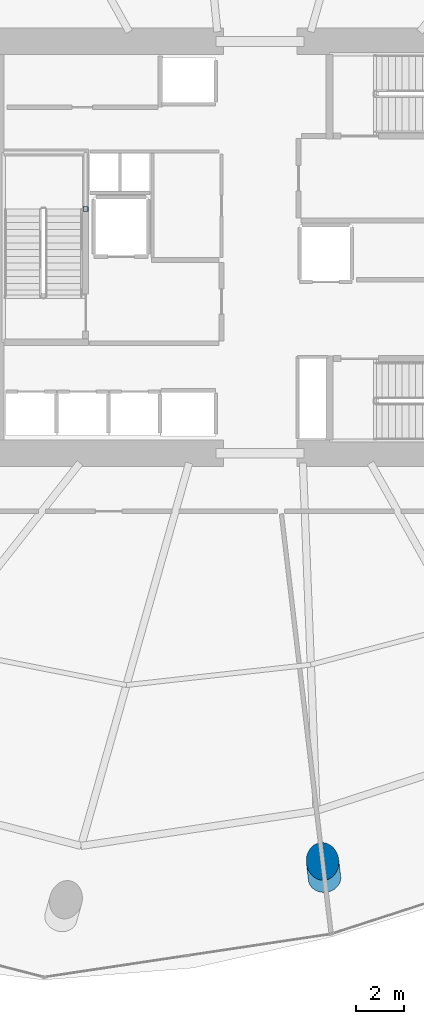
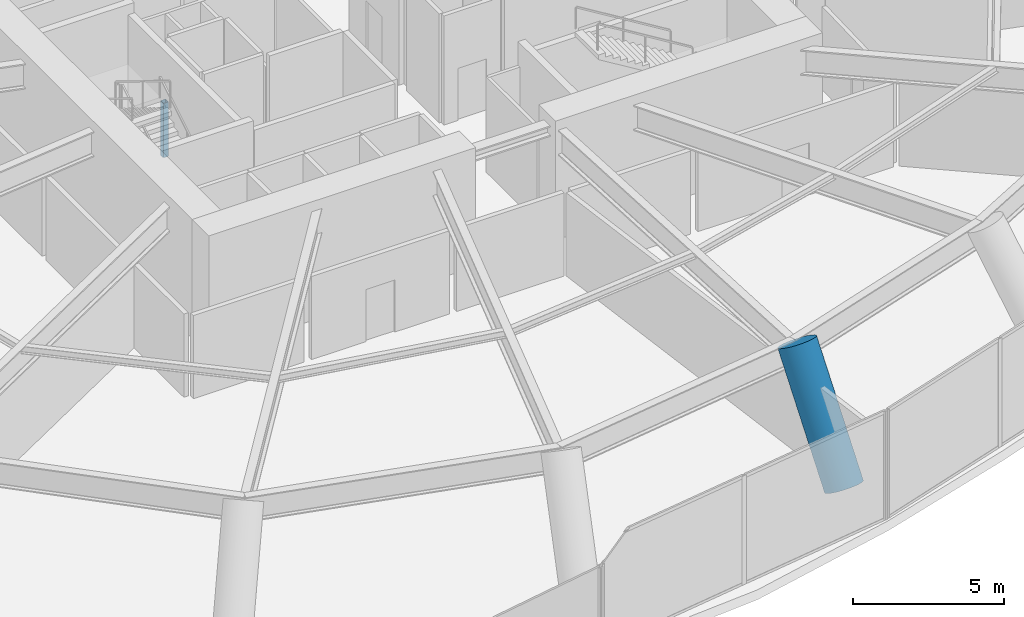
# One storey, part 2 of 21: 2 columns.
"""IFC4 building model written with IfcOpenShell, lengths in metres."""

from ifc_helpers import new_model, si_unit, direction, frame, origin, origin_2d, place, context, subcontext, project, spatial, hollow_rectangle, circle, extrude, material, material_profile, profile_set, type_object, element, save


model = new_model("IFC4")

# Units and contexts
model_context = context("Model", 3, precision=1e-05, world=origin(), true_north=direction((0.0, 1.0)))
body_context = subcontext(model_context, "Body", "Model", "MODEL_VIEW")
ifc_project = project(units=[si_unit("LENGTHUNIT", "METRE"), si_unit("AREAUNIT", "SQUARE_METRE"), si_unit("VOLUMEUNIT", "CUBIC_METRE"), si_unit("PLANEANGLEUNIT", "RADIAN"), si_unit("MASSUNIT", "GRAM", prefix="KILO")], contexts=[model_context])

# Site, building, storey
site_placement = place(None, origin())
site = spatial("IfcSite", under=ifc_project, at=site_placement, CompositionType="ELEMENT")
building_placement = place(site_placement, origin())
building = spatial("IfcBuilding", under=site, at=building_placement, Name="Kazma Halo Residences", CompositionType="ELEMENT")
storey_placement = place(building_placement, frame((0.0, 0.0, 21.60009765625)))
storey = spatial("IfcBuildingStorey", under=building, at=storey_placement, Name="L04", CompositionType="ELEMENT", Elevation=21.60009765625)

# Columns
ifc_material_1 = material(Name="Steel S355", Category="steel")
ifc_material_profile_1 = material_profile(ifc_material_1, hollow_rectangle(XDim=0.199951171875, YDim=0.199951171875, WallThickness=0.010009765625, InnerFilletRadius=0.010009765625, OuterFilletRadius=0.02001953125, at=origin_2d()), Name="SHS200x200x10")
ifc_profile_set_1 = profile_set([ifc_material_profile_1], Name="Steel S355")
column_type_1 = type_object("IfcColumnType", Name="COL-LP-SHS200", PredefinedType="COLUMN", material=ifc_profile_set_1)
column_1_placement = place(storey_placement, frame((41.179931640625, 43.590087890625, 0.0), z_axis=(0.0, 0.0, 1.0), x_axis=(1.0, 0.0, 0.0)))
element("IfcColumn", 1, at=column_1_placement, inside=storey, type_object=column_type_1, Name="L04 ST-01 landing pilaster 1", PredefinedType="COLUMN", context=body_context, shape_type="SweptSolid", body=[
    extrude(hollow_rectangle(XDim=0.199951171875, YDim=0.199951171875, WallThickness=0.010009765625, InnerFilletRadius=0.010009765625, OuterFilletRadius=0.02001953125, at=origin_2d()), origin(), (0.0, 0.0, 1.0), 2.19482421875),
])
ifc_material_2 = material(Name="Concrete C80/95", Category="concrete")
ifc_material_profile_2 = material_profile(ifc_material_2, circle(Radius=0.675048828125, at=origin_2d()), Name="CIRC1350")
ifc_profile_set_2 = profile_set([ifc_material_profile_2], Name="Concrete C80/95")
column_type_2 = type_object("IfcColumnType", Name="COL-PERIM-1350", PredefinedType="COLUMN", material=ifc_profile_set_2)
column_2_placement = place(storey_placement, frame((51.1005859375, 15.803955078125, 0.0), z_axis=(-0.059672671042, 0.50387067904, 0.861715446731), x_axis=(-0.993060254335, -0.117606680339, 0.0)))
element("IfcColumn", 2, at=column_2_placement, inside=storey, type_object=column_type_2, Name="L04 perimeter ring column P12", PredefinedType="COLUMN", context=body_context, shape_type="SweptSolid", body=[
    extrude(circle(Radius=0.675048828125, at=origin_2d()), origin(), (0.0, 0.0, 1.0), 5.10595703125),
])

save(model, "model.ifc")
